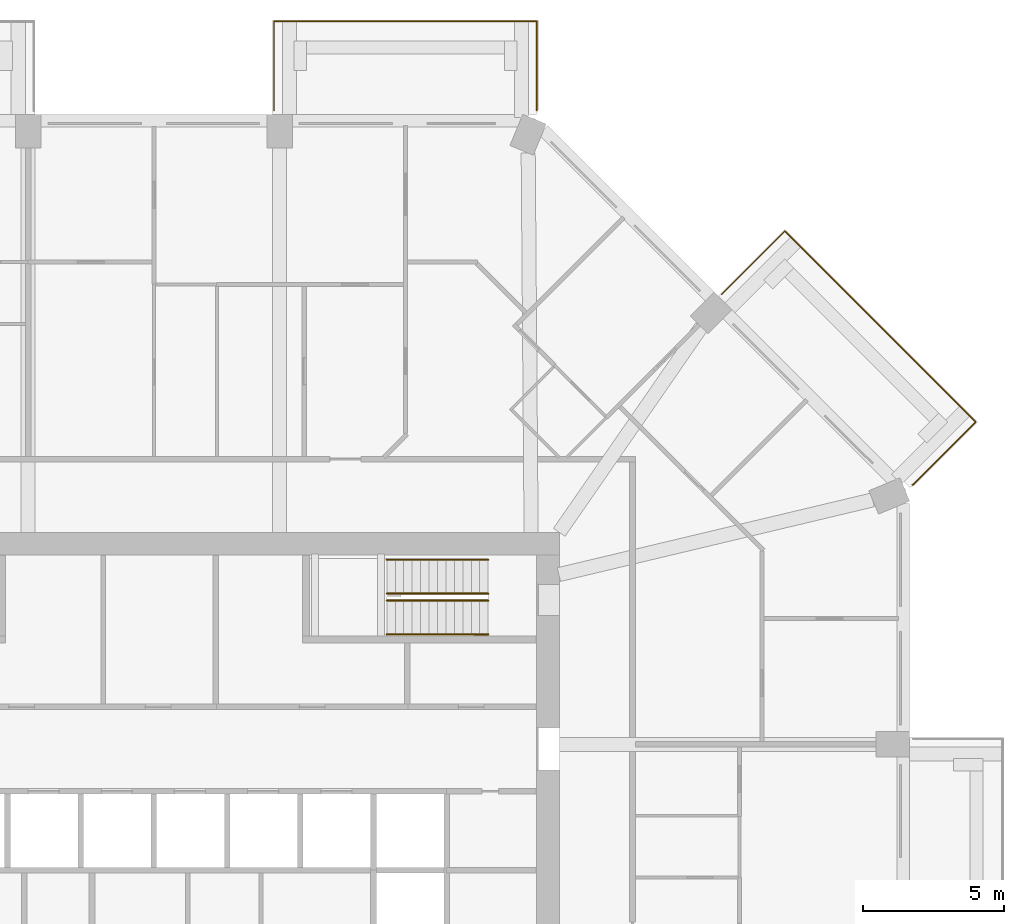
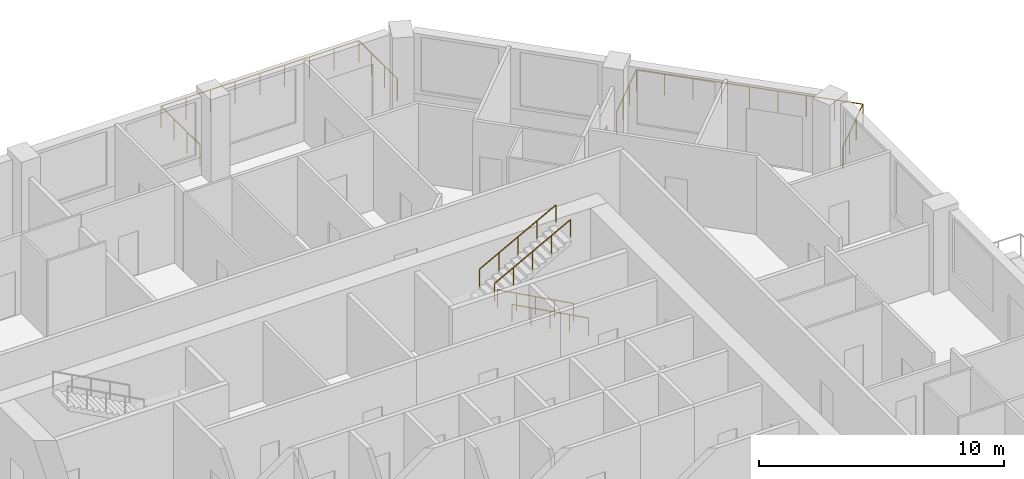
# One storey, part 13 of 13: 6 railings.
"""IFC4 building model written with IfcOpenShell, lengths in metres."""

from ifc_helpers import new_model, si_unit, direction, frame, origin, origin_2d, place, context, subcontext, project, spatial, circle, extrude, material, constituent, constituent_set, type_object, element, save


model = new_model("IFC4")

# Units and contexts
model_context = context("Model", 3, precision=1e-05, world=origin(), true_north=direction((0.0, 1.0)))
body_context = subcontext(model_context, "Body", "Model", "MODEL_VIEW")
ifc_project = project(units=[si_unit("LENGTHUNIT", "METRE"), si_unit("AREAUNIT", "SQUARE_METRE"), si_unit("VOLUMEUNIT", "CUBIC_METRE"), si_unit("PLANEANGLEUNIT", "RADIAN"), si_unit("MASSUNIT", "GRAM", prefix="KILO")], contexts=[model_context])

# Site, building, storey
site_placement = place(None, origin())
site = spatial("IfcSite", under=ifc_project, at=site_placement, CompositionType="ELEMENT")
building_placement = place(site_placement, origin())
building = spatial("IfcBuilding", under=site, at=building_placement, Name="Msitu Wima Residences", CompositionType="ELEMENT")
storey_placement = place(building_placement, frame((0.0, 0.0, 114.89990234375)))
storey = spatial("IfcBuildingStorey", under=building, at=storey_placement, Name="L26", CompositionType="ELEMENT", Elevation=114.89990234375)

# Railings
ifc_material_1 = material(Name="Steel S355", Category="steel")
ifc_constituent_1 = constituent(ifc_material_1, Name="Steel S355")
ifc_material_2 = material(Name="Weathering patina")
ifc_constituent_2 = constituent(ifc_material_2, Name="Weathering patina")
ifc_constituent_set_1 = constituent_set(constituents=[ifc_constituent_1, ifc_constituent_2], Name="Steel S355")
railing_type_1 = type_object("IfcRailingType", Name="Balcony guard GR1100", PredefinedType="GUARDRAIL", material=ifc_constituent_set_1)
railing_1_placement = place(storey_placement, frame((20.171630859375, 20.45458984375, 0.0)))
element("IfcRailing", 1, at=railing_1_placement, inside=storey, type_object=railing_type_1, Name="Balcony guard NE0 L26", PredefinedType="GUARDRAIL", context=body_context, shape_type="SweptSolid", body=[
    extrude(circle(Radius=0.02392578125, at=origin_2d()), frame((0.0, 0.0, 1.076171875), z_axis=(0.707106781187, 0.707106781187, 0.0), x_axis=(-0.707106781187, 0.707106781187, 0.0)), (0.0, 0.0, 1.0), 3.169921875),
    extrude(circle(Radius=0.02392578125, at=origin_2d()), frame((2.241455078125, 2.241455078125, 1.076171875), z_axis=(0.707106781187, -0.707106781187, 0.0), x_axis=(0.707106781187, 0.707106781187, 0.0)), (0.0, 0.0, 1.0), 9.58837890625),
    extrude(circle(Radius=0.02392578125, at=origin_2d()), frame((9.021484375, -4.53857421875, 1.076171875), z_axis=(-0.707106781187, -0.707106781187, 0.0), x_axis=(0.707106781187, -0.707106781187, 0.0)), (0.0, 0.0, 1.0), 3.136474609375),
    extrude(circle(Radius=0.02392578125, at=origin_2d()), frame((6.8037109375, -6.75634765625, 1.076171875), z_axis=(-0.92426142649, -0.38176015442, 0.0), x_axis=(0.38176015442, -0.92426142649, 0.0)), (0.0, 0.0, 1.0), 0.036376953125),
    extrude(circle(Radius=0.02099609375, at=origin_2d()), origin(), (0.0, 0.0, 1.0), 1.052001953125),
    extrude(circle(Radius=0.02099609375, at=origin_2d()), frame((0.7470703125, 0.7470703125, 0.0)), (0.0, 0.0, 1.0), 1.052001953125),
    extrude(circle(Radius=0.02099609375, at=origin_2d()), frame((1.494384765625, 1.494384765625, 0.0)), (0.0, 0.0, 1.0), 1.052001953125),
    extrude(circle(Radius=0.02099609375, at=origin_2d()), frame((2.241455078125, 2.241455078125, 0.0)), (0.0, 0.0, 1.0), 1.052001953125),
    extrude(circle(Radius=0.02099609375, at=origin_2d()), frame((3.0888671875, 1.39404296875, 0.0)), (0.0, 0.0, 1.0), 1.052001953125),
    extrude(circle(Radius=0.02099609375, at=origin_2d()), frame((3.9365234375, 0.54638671875, 0.0)), (0.0, 0.0, 1.0), 1.052001953125),
    extrude(circle(Radius=0.02099609375, at=origin_2d()), frame((4.783935546875, -0.301025390625, 0.0)), (0.0, 0.0, 1.0), 1.052001953125),
    extrude(circle(Radius=0.02099609375, at=origin_2d()), frame((5.63134765625, -1.1484375, 0.0)), (0.0, 0.0, 1.0), 1.052001953125),
    extrude(circle(Radius=0.02099609375, at=origin_2d()), frame((6.47900390625, -1.99609375, 0.0)), (0.0, 0.0, 1.0), 1.052001953125),
    extrude(circle(Radius=0.02099609375, at=origin_2d()), frame((7.326416015625, -2.843505859375, 0.0)), (0.0, 0.0, 1.0), 1.052001953125),
    extrude(circle(Radius=0.02099609375, at=origin_2d()), frame((8.174072265625, -3.691162109375, 0.0)), (0.0, 0.0, 1.0), 1.052001953125),
    extrude(circle(Radius=0.02099609375, at=origin_2d()), frame((9.021484375, -4.53857421875, 0.0)), (0.0, 0.0, 1.0), 1.052001953125),
    extrude(circle(Radius=0.02099609375, at=origin_2d()), frame((8.2822265625, -5.27783203125, 0.0)), (0.0, 0.0, 1.0), 1.052001953125),
    extrude(circle(Radius=0.02099609375, at=origin_2d()), frame((7.54296875, -6.01708984375, 0.0)), (0.0, 0.0, 1.0), 1.052001953125),
    extrude(circle(Radius=0.02099609375, at=origin_2d()), frame((6.8037109375, -6.75634765625, 0.0)), (0.0, 0.0, 1.0), 1.052001953125),
    extrude(circle(Radius=0.02099609375, at=origin_2d()), frame((6.77001953125, -6.770263671875, 0.0)), (0.0, 0.0, 1.0), 1.052001953125),
])
railing_2_placement = place(storey_placement, frame((4.2685546875, 26.97998046875, 0.0)))
element("IfcRailing", 2, at=railing_2_placement, inside=storey, type_object=railing_type_1, Name="Balcony guard N0 L26", PredefinedType="GUARDRAIL", context=body_context, shape_type="SweptSolid", body=[
    extrude(circle(Radius=0.02392578125, at=origin_2d()), frame((0.0, 0.0, 1.076171875), z_axis=(0.0, 1.0, 0.0), x_axis=(-1.0, 0.0, 0.0)), (0.0, 0.0, 1.0), 3.169921875),
    extrude(circle(Radius=0.02392578125, at=origin_2d()), frame((0.0, 3.169921875, 1.076171875), z_axis=(1.0, 0.0, 0.0), x_axis=(0.0, 1.0, 0.0)), (0.0, 0.0, 1.0), 9.33740234375),
    extrude(circle(Radius=0.02392578125, at=origin_2d()), frame((9.33740234375, 3.169921875, 1.076171875), z_axis=(0.0, -1.0, 0.0), x_axis=(1.0, 0.0, 0.0)), (0.0, 0.0, 1.0), 3.136474609375),
    extrude(circle(Radius=0.02392578125, at=origin_2d()), frame((9.33740234375, 0.033447265625, 1.076171875), z_axis=(-0.384136806859, -0.923276184907, 0.0), x_axis=(0.923276184907, -0.384136806859, 0.0)), (0.0, 0.0, 1.0), 0.0361328125),
    extrude(circle(Radius=0.02099609375, at=origin_2d()), origin(), (0.0, 0.0, 1.0), 1.052001953125),
    extrude(circle(Radius=0.02099609375, at=origin_2d()), frame((0.0, 1.056640625, 0.0)), (0.0, 0.0, 1.0), 1.052001953125),
    extrude(circle(Radius=0.02099609375, at=origin_2d()), frame((0.0, 2.11328125, 0.0)), (0.0, 0.0, 1.0), 1.052001953125),
    extrude(circle(Radius=0.02099609375, at=origin_2d()), frame((0.0, 3.169921875, 0.0)), (0.0, 0.0, 1.0), 1.052001953125),
    extrude(circle(Radius=0.02099609375, at=origin_2d()), frame((1.167236328125, 3.169921875, 0.0)), (0.0, 0.0, 1.0), 1.052001953125),
    extrude(circle(Radius=0.02099609375, at=origin_2d()), frame((2.33447265625, 3.169921875, 0.0)), (0.0, 0.0, 1.0), 1.052001953125),
    extrude(circle(Radius=0.02099609375, at=origin_2d()), frame((3.50146484375, 3.169921875, 0.0)), (0.0, 0.0, 1.0), 1.052001953125),
    extrude(circle(Radius=0.02099609375, at=origin_2d()), frame((4.668701171875, 3.169921875, 0.0)), (0.0, 0.0, 1.0), 1.052001953125),
    extrude(circle(Radius=0.02099609375, at=origin_2d()), frame((5.8359375, 3.169921875, 0.0)), (0.0, 0.0, 1.0), 1.052001953125),
    extrude(circle(Radius=0.02099609375, at=origin_2d()), frame((7.0029296875, 3.169921875, 0.0)), (0.0, 0.0, 1.0), 1.052001953125),
    extrude(circle(Radius=0.02099609375, at=origin_2d()), frame((8.170166015625, 3.169921875, 0.0)), (0.0, 0.0, 1.0), 1.052001953125),
    extrude(circle(Radius=0.02099609375, at=origin_2d()), frame((9.33740234375, 3.169921875, 0.0)), (0.0, 0.0, 1.0), 1.052001953125),
    extrude(circle(Radius=0.02099609375, at=origin_2d()), frame((9.33740234375, 2.12451171875, 0.0)), (0.0, 0.0, 1.0), 1.052001953125),
    extrude(circle(Radius=0.02099609375, at=origin_2d()), frame((9.33740234375, 1.078857421875, 0.0)), (0.0, 0.0, 1.0), 1.052001953125),
    extrude(circle(Radius=0.02099609375, at=origin_2d()), frame((9.33740234375, 0.033447265625, 0.0)), (0.0, 0.0, 1.0), 1.052001953125),
    extrude(circle(Radius=0.02099609375, at=origin_2d()), frame((9.323486328125, 0.0, 0.0)), (0.0, 0.0, 1.0), 1.052001953125),
])
ifc_constituent_3 = constituent(ifc_material_1, Name="Steel S355")
ifc_material_3 = material(Name="Black powder coating")
ifc_constituent_4 = constituent(ifc_material_3, Name="Black powder coating")
ifc_constituent_set_2 = constituent_set(constituents=[ifc_constituent_3, ifc_constituent_4], Name="Steel S355")
railing_type_2 = type_object("IfcRailingType", Name="Stair handrail HR1", PredefinedType="HANDRAIL", material=ifc_constituent_set_2)
for number, where, name in (
    (3, (11.875, 8.375, 0.16162109375), "Stair 3 handrail"),
    (4, (11.875, 9.574951171875, 0.16162109375), "Stair 3 handrail"),
):
    element("IfcRailing", number, at=place(storey_placement, frame(where)), inside=storey, type_object=railing_type_2, Name=name, PredefinedType="HANDRAIL", context=body_context, shape_type="SweptSolid", body=[
        extrude(circle(Radius=0.02392578125, at=origin_2d()), frame((0.0, 0.0, 0.8759765625), z_axis=(-0.880474934443, 0.0, 0.474092701714), x_axis=(0.0, -1.0, 0.0)), (0.0, 0.0, 1.0), 4.0888671875),
        extrude(circle(Radius=0.02099609375, at=origin_2d()), origin(), (0.0, 0.0, 1.0), 0.851806640625),
        extrude(circle(Radius=0.02099609375, at=origin_2d()), frame((-0.89990234375, 0.0, 0.484619140625)), (0.0, 0.0, 1.0), 0.851806640625),
        extrude(circle(Radius=0.02099609375, at=origin_2d()), frame((-1.800048828125, 0.0, 0.96923828125)), (0.0, 0.0, 1.0), 0.851806640625),
        extrude(circle(Radius=0.02099609375, at=origin_2d()), frame((-2.7001953125, 0.0, 1.453857421875)), (0.0, 0.0, 1.0), 0.851806640625),
        extrude(circle(Radius=0.02099609375, at=origin_2d()), frame((-3.60009765625, 0.0, 1.9384765625)), (0.0, 0.0, 1.0), 0.851806640625),
    ])
for number, where, name in (
    (5, (8.27490234375, 9.824951171875, 2.26171875), "Stair 3 handrail"),
    (6, (8.27490234375, 11.02490234375, 2.26171875), "Stair 3 handrail"),
):
    element("IfcRailing", number, at=place(storey_placement, frame(where)), inside=storey, type_object=railing_type_2, Name=name, PredefinedType="HANDRAIL", context=body_context, shape_type="SweptSolid", body=[
        extrude(circle(Radius=0.02392578125, at=origin_2d()), frame((0.0, 0.0, 0.8759765625), z_axis=(0.880474934443, 0.0, 0.474092701714), x_axis=(0.0, 1.0, 0.0)), (0.0, 0.0, 1.0), 4.0888671875),
        extrude(circle(Radius=0.02099609375, at=origin_2d()), origin(), (0.0, 0.0, 1.0), 0.851806640625),
        extrude(circle(Radius=0.02099609375, at=origin_2d()), frame((0.89990234375, 0.0, 0.484619140625)), (0.0, 0.0, 1.0), 0.851806640625),
        extrude(circle(Radius=0.02099609375, at=origin_2d()), frame((1.800048828125, 0.0, 0.96923828125)), (0.0, 0.0, 1.0), 0.851806640625),
        extrude(circle(Radius=0.02099609375, at=origin_2d()), frame((2.7001953125, 0.0, 1.453857421875)), (0.0, 0.0, 1.0), 0.851806640625),
        extrude(circle(Radius=0.02099609375, at=origin_2d()), frame((3.60009765625, 0.0, 1.9384765625)), (0.0, 0.0, 1.0), 0.851806640625),
    ])

save(model, "model.ifc")
